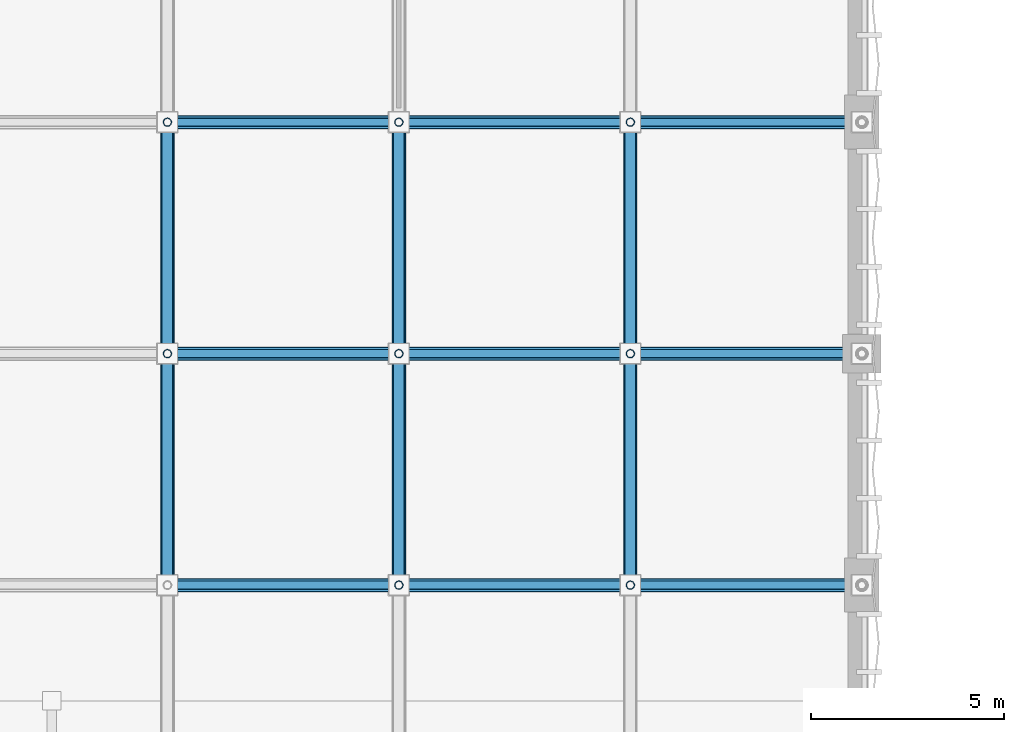
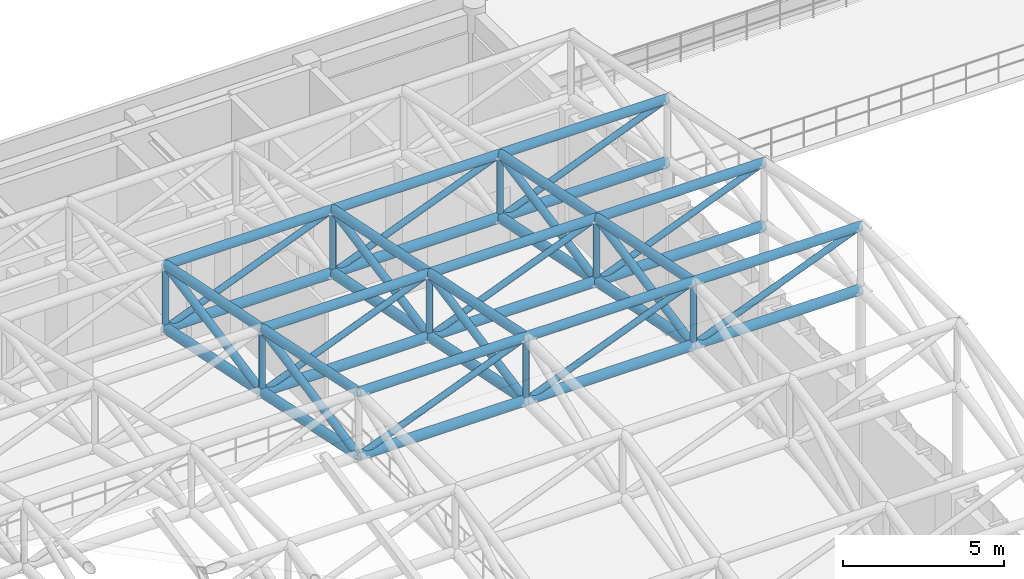
# One storey, part 33 of 112: 53 members.
"""IFC4 building model written with IfcOpenShell, lengths in metres."""

from ifc_helpers import new_model, si_unit, direction, frame, origin, origin_2d, place, context, subcontext, project, spatial, hollow_circle, extrude, material, material_profile, profile_set, type_object, element, save


model = new_model("IFC4")

# Units and contexts
model_context = context("Model", 3, precision=1e-05, world=origin(), true_north=direction((0.0, 1.0)))
body_context = subcontext(model_context, "Body", "Model", "MODEL_VIEW")
ifc_project = project(units=[si_unit("LENGTHUNIT", "METRE"), si_unit("AREAUNIT", "SQUARE_METRE"), si_unit("VOLUMEUNIT", "CUBIC_METRE"), si_unit("PLANEANGLEUNIT", "RADIAN"), si_unit("MASSUNIT", "GRAM", prefix="KILO"), si_unit("THERMODYNAMICTEMPERATUREUNIT", "KELVIN"), si_unit("POWERUNIT", "WATT")], contexts=[model_context])

# Site, building, storey
site_placement = place(None, origin())
site = spatial("IfcSite", under=ifc_project, at=site_placement, CompositionType="ELEMENT")
building_placement = place(site_placement, origin())
building = spatial("IfcBuilding", under=site, at=building_placement, Name="Phaisarnlok Congress Hotel", CompositionType="ELEMENT")
storey_placement = place(building_placement, frame((0.0, 0.0, 19.800048828125)))
storey = spatial("IfcBuildingStorey", under=building, at=storey_placement, Name="L04", CompositionType="ELEMENT", Elevation=19.800048828125)

# Members
ifc_material = material(Name="Steel S355", Category="steel")
ifc_material_profile_1 = material_profile(ifc_material, hollow_circle(Radius=0.109619140625, WallThickness=0.012451171875, at=origin_2d()), Name="CHS 219.1x12.5")
ifc_profile_set_1 = profile_set([ifc_material_profile_1], Name="Steel S355")
member_type_1 = type_object("IfcMemberType", Name="MEM-BRC-CHS219", PredefinedType="BRACE", material=ifc_profile_set_1)
member_1_placement = place(storey_placement, frame((48.0, 66.0, 8.462158203125), z_axis=(0.928481901832, 0.0, 0.371377648723), x_axis=(0.0, 1.0, 0.0)))
element("IfcMember", 1, at=member_1_placement, inside=storey, type_object=member_type_1, Name="Congress Hall space frame web diagonal TB-02", PredefinedType="BRACE", context=body_context, shape_type="SweptSolid", body=[
    extrude(hollow_circle(Radius=0.109619140625, WallThickness=0.012451171875, at=origin_2d()), origin(), (0.0, 0.0, 1.0), 6.462158203125),
])
member_2_placement = place(storey_placement, frame((48.0, 72.0, 7.241455078125), z_axis=(0.0, 0.0, 1.0), x_axis=(1.0, 0.0, 0.0)))
element("IfcMember", 2, at=member_2_placement, inside=storey, type_object=member_type_1, Name="Congress Hall space frame vertical brace TB-02", PredefinedType="BRACE", context=body_context, shape_type="SweptSolid", body=[
    extrude(hollow_circle(Radius=0.109619140625, WallThickness=0.012451171875, at=origin_2d()), origin(), (0.0, 0.0, 1.0), 2.39990234375),
])
member_3_placement = place(storey_placement, frame((48.0, 72.0, 7.241455078125), z_axis=(0.928481901832, 0.0, 0.371377648723), x_axis=(0.0, 1.0, 0.0)))
element("IfcMember", 3, at=member_3_placement, inside=storey, type_object=member_type_1, Name="Congress Hall space frame web diagonal TB-02", PredefinedType="BRACE", context=body_context, shape_type="SweptSolid", body=[
    extrude(hollow_circle(Radius=0.109619140625, WallThickness=0.012451171875, at=origin_2d()), origin(), (0.0, 0.0, 1.0), 6.462158203125),
])
member_4_placement = place(storey_placement, frame((48.0, 78.0, 6.020751953125), z_axis=(0.0, 0.0, 1.0), x_axis=(1.0, 0.0, 0.0)))
element("IfcMember", 4, at=member_4_placement, inside=storey, type_object=member_type_1, Name="Congress Hall space frame vertical brace TB-02", PredefinedType="BRACE", context=body_context, shape_type="SweptSolid", body=[
    extrude(hollow_circle(Radius=0.109619140625, WallThickness=0.012451171875, at=origin_2d()), origin(), (0.0, 0.0, 1.0), 2.39990234375),
])
member_5_placement = place(storey_placement, frame((48.0, 78.0, 6.020751953125), z_axis=(0.928481901832, 0.0, 0.371377648723), x_axis=(0.0, 1.0, 0.0)))
element("IfcMember", 5, at=member_5_placement, inside=storey, type_object=member_type_1, Name="Congress Hall space frame web diagonal TB-02", PredefinedType="BRACE", context=body_context, shape_type="SweptSolid", body=[
    extrude(hollow_circle(Radius=0.109619140625, WallThickness=0.012451171875, at=origin_2d()), origin(), (0.0, 0.0, 1.0), 6.462158203125),
])
member_6_placement = place(storey_placement, frame((54.0, 66.0, 8.462158203125), z_axis=(0.0, 0.0, 1.0), x_axis=(1.0, 0.0, 0.0)))
element("IfcMember", 6, at=member_6_placement, inside=storey, type_object=member_type_1, Name="Congress Hall space frame vertical brace TB-02", PredefinedType="BRACE", context=body_context, shape_type="SweptSolid", body=[
    extrude(hollow_circle(Radius=0.109619140625, WallThickness=0.012451171875, at=origin_2d()), origin(), (0.0, 0.0, 1.0), 2.39990234375),
])
member_7_placement = place(storey_placement, frame((54.0, 66.0, 8.462158203125), z_axis=(0.928481901832, 0.0, 0.371377648723), x_axis=(0.0, 1.0, 0.0)))
element("IfcMember", 7, at=member_7_placement, inside=storey, type_object=member_type_1, Name="Congress Hall space frame web diagonal TB-02", PredefinedType="BRACE", context=body_context, shape_type="SweptSolid", body=[
    extrude(hollow_circle(Radius=0.109619140625, WallThickness=0.012451171875, at=origin_2d()), origin(), (0.0, 0.0, 1.0), 6.462158203125),
])
member_8_placement = place(storey_placement, frame((54.0, 72.0, 7.241455078125), z_axis=(0.0, 0.0, 1.0), x_axis=(1.0, 0.0, 0.0)))
element("IfcMember", 8, at=member_8_placement, inside=storey, type_object=member_type_1, Name="Congress Hall space frame vertical brace TB-02", PredefinedType="BRACE", context=body_context, shape_type="SweptSolid", body=[
    extrude(hollow_circle(Radius=0.109619140625, WallThickness=0.012451171875, at=origin_2d()), origin(), (0.0, 0.0, 1.0), 2.39990234375),
])
member_9_placement = place(storey_placement, frame((54.0, 72.0, 7.241455078125), z_axis=(0.928481901832, 0.0, 0.371377648723), x_axis=(0.0, 1.0, 0.0)))
element("IfcMember", 9, at=member_9_placement, inside=storey, type_object=member_type_1, Name="Congress Hall space frame web diagonal TB-02", PredefinedType="BRACE", context=body_context, shape_type="SweptSolid", body=[
    extrude(hollow_circle(Radius=0.109619140625, WallThickness=0.012451171875, at=origin_2d()), origin(), (0.0, 0.0, 1.0), 6.462158203125),
])
member_10_placement = place(storey_placement, frame((54.0, 78.0, 6.020751953125), z_axis=(0.0, 0.0, 1.0), x_axis=(1.0, 0.0, 0.0)))
element("IfcMember", 10, at=member_10_placement, inside=storey, type_object=member_type_1, Name="Congress Hall space frame vertical brace TB-02", PredefinedType="BRACE", context=body_context, shape_type="SweptSolid", body=[
    extrude(hollow_circle(Radius=0.109619140625, WallThickness=0.012451171875, at=origin_2d()), origin(), (0.0, 0.0, 1.0), 2.39990234375),
])
member_11_placement = place(storey_placement, frame((54.0, 78.0, 6.020751953125), z_axis=(0.928481901832, 0.0, 0.371377648723), x_axis=(0.0, 1.0, 0.0)))
element("IfcMember", 11, at=member_11_placement, inside=storey, type_object=member_type_1, Name="Congress Hall space frame web diagonal TB-02", PredefinedType="BRACE", context=body_context, shape_type="SweptSolid", body=[
    extrude(hollow_circle(Radius=0.109619140625, WallThickness=0.012451171875, at=origin_2d()), origin(), (0.0, 0.0, 1.0), 6.462158203125),
])
member_12_placement = place(storey_placement, frame((60.0, 66.0, 8.462158203125), z_axis=(0.0, 0.0, 1.0), x_axis=(1.0, 0.0, 0.0)))
element("IfcMember", 12, at=member_12_placement, inside=storey, type_object=member_type_1, Name="Congress Hall space frame vertical brace TB-02", PredefinedType="BRACE", context=body_context, shape_type="SweptSolid", body=[
    extrude(hollow_circle(Radius=0.109619140625, WallThickness=0.012451171875, at=origin_2d()), origin(), (0.0, 0.0, 1.0), 2.39990234375),
])
member_13_placement = place(storey_placement, frame((60.0, 66.0, 8.462158203125), z_axis=(0.928481901832, 0.0, 0.371377648723), x_axis=(0.0, 1.0, 0.0)))
element("IfcMember", 13, at=member_13_placement, inside=storey, type_object=member_type_1, Name="Congress Hall space frame web diagonal TB-02", PredefinedType="BRACE", context=body_context, shape_type="SweptSolid", body=[
    extrude(hollow_circle(Radius=0.109619140625, WallThickness=0.012451171875, at=origin_2d()), origin(), (0.0, 0.0, 1.0), 6.462158203125),
])
member_14_placement = place(storey_placement, frame((60.0, 72.0, 7.241455078125), z_axis=(0.0, 0.0, 1.0), x_axis=(1.0, 0.0, 0.0)))
element("IfcMember", 14, at=member_14_placement, inside=storey, type_object=member_type_1, Name="Congress Hall space frame vertical brace TB-02", PredefinedType="BRACE", context=body_context, shape_type="SweptSolid", body=[
    extrude(hollow_circle(Radius=0.109619140625, WallThickness=0.012451171875, at=origin_2d()), origin(), (0.0, 0.0, 1.0), 2.39990234375),
])
member_15_placement = place(storey_placement, frame((60.0, 72.0, 7.241455078125), z_axis=(0.928481901832, 0.0, 0.371377648723), x_axis=(0.0, 1.0, 0.0)))
element("IfcMember", 15, at=member_15_placement, inside=storey, type_object=member_type_1, Name="Congress Hall space frame web diagonal TB-02", PredefinedType="BRACE", context=body_context, shape_type="SweptSolid", body=[
    extrude(hollow_circle(Radius=0.109619140625, WallThickness=0.012451171875, at=origin_2d()), origin(), (0.0, 0.0, 1.0), 6.462158203125),
])
member_16_placement = place(storey_placement, frame((60.0, 78.0, 6.020751953125), z_axis=(0.0, 0.0, 1.0), x_axis=(1.0, 0.0, 0.0)))
element("IfcMember", 16, at=member_16_placement, inside=storey, type_object=member_type_1, Name="Congress Hall space frame vertical brace TB-02", PredefinedType="BRACE", context=body_context, shape_type="SweptSolid", body=[
    extrude(hollow_circle(Radius=0.109619140625, WallThickness=0.012451171875, at=origin_2d()), origin(), (0.0, 0.0, 1.0), 2.39990234375),
])
member_17_placement = place(storey_placement, frame((60.0, 78.0, 6.020751953125), z_axis=(0.928481901832, 0.0, 0.371377648723), x_axis=(0.0, 1.0, 0.0)))
element("IfcMember", 17, at=member_17_placement, inside=storey, type_object=member_type_1, Name="Congress Hall space frame web diagonal TB-02", PredefinedType="BRACE", context=body_context, shape_type="SweptSolid", body=[
    extrude(hollow_circle(Radius=0.109619140625, WallThickness=0.012451171875, at=origin_2d()), origin(), (0.0, 0.0, 1.0), 6.462158203125),
])
ifc_material_profile_2 = material_profile(ifc_material, hollow_circle(Radius=0.136474609375, WallThickness=0.01611328125, at=origin_2d()), Name="CHS 273x16")
ifc_profile_set_2 = profile_set([ifc_material_profile_2], Name="Steel S355")
member_type_2 = type_object("IfcMemberType", Name="MEM-BRC-CHS273", PredefinedType="BRACE", material=ifc_profile_set_2)
for number, where, z_axis, x_axis, name in (
    (18, (48.0, 66.0, 8.462158203125), (0.0, 0.981229397887, 0.192844156567), (-1.0, 0.0, 0.0), "Congress Hall space frame raking brace TB-03"),
    (19, (48.0, 72.0, 7.241455078125), (0.0, 0.981229397887, 0.192844156567), (-1.0, 0.0, 0.0), "Congress Hall space frame raking brace TB-03"),
    (20, (54.0, 66.0, 8.462158203125), (0.0, 0.981229397887, 0.192844156567), (-1.0, 0.0, 0.0), "Congress Hall space frame raking brace TB-03"),
    (21, (54.0, 72.0, 7.241455078125), (0.0, 0.981229397887, 0.192844156567), (-1.0, 0.0, 0.0), "Congress Hall space frame raking brace TB-03"),
    (22, (60.0, 66.0, 8.462158203125), (0.0, 0.981229397887, 0.192844156567), (-1.0, 0.0, 0.0), "Congress Hall space frame raking brace TB-03"),
    (23, (60.0, 72.0, 7.241455078125), (0.0, 0.981229397887, 0.192844156567), (-1.0, 0.0, 0.0), "Congress Hall space frame raking brace TB-03"),
):
    element("IfcMember", number, at=place(storey_placement, frame(where, z_axis=z_axis, x_axis=x_axis)), inside=storey, type_object=member_type_2, Name=name, PredefinedType="BRACE", context=body_context, shape_type="SweptSolid", body=[
        extrude(hollow_circle(Radius=0.136474609375, WallThickness=0.01611328125, at=origin_2d()), origin(), (0.0, 0.0, 1.0), 6.11474609375),
    ])
ifc_material_profile_3 = material_profile(ifc_material, hollow_circle(Radius=0.161865234375, WallThickness=0.01611328125, at=origin_2d()), Name="CHS 323.9x16")
ifc_profile_set_3 = profile_set([ifc_material_profile_3], Name="Steel S355")
member_type_3 = type_object("IfcMemberType", Name="MEM-CHD-CHS324", PredefinedType="CHORD", material=ifc_profile_set_3)
member_18_placement = place(storey_placement, frame((48.0, 66.0, 10.862060546875), z_axis=(1.0, 0.0, 0.0), x_axis=(0.0, 1.0, 0.0)))
element("IfcMember", 24, at=member_18_placement, inside=storey, type_object=member_type_3, Name="Congress Hall space frame top chord TC-02", PredefinedType="CHORD", context=body_context, shape_type="SweptSolid", body=[
    extrude(hollow_circle(Radius=0.161865234375, WallThickness=0.01611328125, at=origin_2d()), origin(), (0.0, 0.0, 1.0), 6.0),
])
member_19_placement = place(storey_placement, frame((48.0, 66.0, 10.862060546875), z_axis=(0.0, 0.979925045119, -0.199366260807), x_axis=(-1.0, 0.0, 0.0)))
element("IfcMember", 25, at=member_19_placement, inside=storey, type_object=member_type_3, Name="Congress Hall space frame top chord TC-02", PredefinedType="CHORD", context=body_context, shape_type="SweptSolid", body=[
    extrude(hollow_circle(Radius=0.161865234375, WallThickness=0.01611328125, at=origin_2d()), origin(), (0.0, 0.0, 1.0), 6.122802734375),
])
member_20_placement = place(storey_placement, frame((48.0, 72.0, 9.641357421875), z_axis=(1.0, 0.0, 0.0), x_axis=(0.0, 1.0, 0.0)))
element("IfcMember", 26, at=member_20_placement, inside=storey, type_object=member_type_3, Name="Congress Hall space frame top chord TC-02", PredefinedType="CHORD", context=body_context, shape_type="SweptSolid", body=[
    extrude(hollow_circle(Radius=0.161865234375, WallThickness=0.01611328125, at=origin_2d()), origin(), (0.0, 0.0, 1.0), 6.0),
])
member_21_placement = place(storey_placement, frame((48.0, 72.0, 9.641357421875), z_axis=(0.0, 0.979925045119, -0.199366260807), x_axis=(-1.0, 0.0, 0.0)))
element("IfcMember", 27, at=member_21_placement, inside=storey, type_object=member_type_3, Name="Congress Hall space frame top chord TC-02", PredefinedType="CHORD", context=body_context, shape_type="SweptSolid", body=[
    extrude(hollow_circle(Radius=0.161865234375, WallThickness=0.01611328125, at=origin_2d()), origin(), (0.0, 0.0, 1.0), 6.122802734375),
])
for number, where, z_axis, x_axis, name in (
    (28, (48.0, 78.0, 8.420654296875), (1.0, 0.0, 0.0), (0.0, 1.0, 0.0), "Congress Hall space frame top chord TC-02"),
    (29, (54.0, 66.0, 10.862060546875), (1.0, 0.0, 0.0), (0.0, 1.0, 0.0), "Congress Hall space frame top chord TC-02"),
):
    element("IfcMember", number, at=place(storey_placement, frame(where, z_axis=z_axis, x_axis=x_axis)), inside=storey, type_object=member_type_3, Name=name, PredefinedType="CHORD", context=body_context, shape_type="SweptSolid", body=[
        extrude(hollow_circle(Radius=0.161865234375, WallThickness=0.01611328125, at=origin_2d()), origin(), (0.0, 0.0, 1.0), 6.0),
    ])
member_22_placement = place(storey_placement, frame((54.0, 66.0, 10.862060546875), z_axis=(0.0, 0.979925045119, -0.199366260807), x_axis=(-1.0, 0.0, 0.0)))
element("IfcMember", 30, at=member_22_placement, inside=storey, type_object=member_type_3, Name="Congress Hall space frame top chord TC-02", PredefinedType="CHORD", context=body_context, shape_type="SweptSolid", body=[
    extrude(hollow_circle(Radius=0.161865234375, WallThickness=0.01611328125, at=origin_2d()), origin(), (0.0, 0.0, 1.0), 6.122802734375),
])
member_23_placement = place(storey_placement, frame((54.0, 72.0, 9.641357421875), z_axis=(1.0, 0.0, 0.0), x_axis=(0.0, 1.0, 0.0)))
element("IfcMember", 31, at=member_23_placement, inside=storey, type_object=member_type_3, Name="Congress Hall space frame top chord TC-02", PredefinedType="CHORD", context=body_context, shape_type="SweptSolid", body=[
    extrude(hollow_circle(Radius=0.161865234375, WallThickness=0.01611328125, at=origin_2d()), origin(), (0.0, 0.0, 1.0), 6.0),
])
member_24_placement = place(storey_placement, frame((54.0, 72.0, 9.641357421875), z_axis=(0.0, 0.979925045119, -0.199366260807), x_axis=(-1.0, 0.0, 0.0)))
element("IfcMember", 32, at=member_24_placement, inside=storey, type_object=member_type_3, Name="Congress Hall space frame top chord TC-02", PredefinedType="CHORD", context=body_context, shape_type="SweptSolid", body=[
    extrude(hollow_circle(Radius=0.161865234375, WallThickness=0.01611328125, at=origin_2d()), origin(), (0.0, 0.0, 1.0), 6.122802734375),
])
for number, where, z_axis, x_axis, name in (
    (33, (54.0, 78.0, 8.420654296875), (1.0, 0.0, 0.0), (0.0, 1.0, 0.0), "Congress Hall space frame top chord TC-02"),
    (34, (60.0, 66.0, 10.862060546875), (1.0, 0.0, 0.0), (0.0, 1.0, 0.0), "Congress Hall space frame top chord TC-02"),
):
    element("IfcMember", number, at=place(storey_placement, frame(where, z_axis=z_axis, x_axis=x_axis)), inside=storey, type_object=member_type_3, Name=name, PredefinedType="CHORD", context=body_context, shape_type="SweptSolid", body=[
        extrude(hollow_circle(Radius=0.161865234375, WallThickness=0.01611328125, at=origin_2d()), origin(), (0.0, 0.0, 1.0), 6.0),
    ])
member_25_placement = place(storey_placement, frame((60.0, 66.0, 10.862060546875), z_axis=(0.0, 0.979925045119, -0.199366260807), x_axis=(-1.0, 0.0, 0.0)))
element("IfcMember", 35, at=member_25_placement, inside=storey, type_object=member_type_3, Name="Congress Hall space frame top chord TC-02", PredefinedType="CHORD", context=body_context, shape_type="SweptSolid", body=[
    extrude(hollow_circle(Radius=0.161865234375, WallThickness=0.01611328125, at=origin_2d()), origin(), (0.0, 0.0, 1.0), 6.122802734375),
])
member_26_placement = place(storey_placement, frame((60.0, 72.0, 9.641357421875), z_axis=(1.0, 0.0, 0.0), x_axis=(0.0, 1.0, 0.0)))
element("IfcMember", 36, at=member_26_placement, inside=storey, type_object=member_type_3, Name="Congress Hall space frame top chord TC-02", PredefinedType="CHORD", context=body_context, shape_type="SweptSolid", body=[
    extrude(hollow_circle(Radius=0.161865234375, WallThickness=0.01611328125, at=origin_2d()), origin(), (0.0, 0.0, 1.0), 6.0),
])
member_27_placement = place(storey_placement, frame((60.0, 72.0, 9.641357421875), z_axis=(0.0, 0.979925045119, -0.199366260807), x_axis=(-1.0, 0.0, 0.0)))
element("IfcMember", 37, at=member_27_placement, inside=storey, type_object=member_type_3, Name="Congress Hall space frame top chord TC-02", PredefinedType="CHORD", context=body_context, shape_type="SweptSolid", body=[
    extrude(hollow_circle(Radius=0.161865234375, WallThickness=0.01611328125, at=origin_2d()), origin(), (0.0, 0.0, 1.0), 6.122802734375),
])
member_28_placement = place(storey_placement, frame((60.0, 78.0, 8.420654296875), z_axis=(1.0, 0.0, 0.0), x_axis=(0.0, 1.0, 0.0)))
element("IfcMember", 38, at=member_28_placement, inside=storey, type_object=member_type_3, Name="Congress Hall space frame top chord TC-02", PredefinedType="CHORD", context=body_context, shape_type="SweptSolid", body=[
    extrude(hollow_circle(Radius=0.161865234375, WallThickness=0.01611328125, at=origin_2d()), origin(), (0.0, 0.0, 1.0), 6.0),
])
ifc_material_profile_4 = material_profile(ifc_material, hollow_circle(Radius=0.177734375, WallThickness=0.02001953125, at=origin_2d()), Name="CHS 355.6x20")
ifc_profile_set_4 = profile_set([ifc_material_profile_4], Name="Steel S355")
member_type_4 = type_object("IfcMemberType", Name="MEM-CHD-CHS356", PredefinedType="CHORD", material=ifc_profile_set_4)
member_29_placement = place(storey_placement, frame((48.0, 66.0, 8.462158203125), z_axis=(1.0, 0.0, 0.0), x_axis=(0.0, 1.0, 0.0)))
element("IfcMember", 39, at=member_29_placement, inside=storey, type_object=member_type_4, Name="Congress Hall space frame bottom chord TC-01", PredefinedType="CHORD", context=body_context, shape_type="SweptSolid", body=[
    extrude(hollow_circle(Radius=0.177734375, WallThickness=0.02001953125, at=origin_2d()), origin(), (0.0, 0.0, 1.0), 6.0),
])
member_30_placement = place(storey_placement, frame((48.0, 66.0, 8.462158203125), z_axis=(0.0, 0.979925045119, -0.199366260807), x_axis=(-1.0, 0.0, 0.0)))
element("IfcMember", 40, at=member_30_placement, inside=storey, type_object=member_type_4, Name="Congress Hall space frame bottom chord TC-01", PredefinedType="CHORD", context=body_context, shape_type="SweptSolid", body=[
    extrude(hollow_circle(Radius=0.177734375, WallThickness=0.02001953125, at=origin_2d()), origin(), (0.0, 0.0, 1.0), 6.122802734375),
])
member_31_placement = place(storey_placement, frame((48.0, 72.0, 7.241455078125), z_axis=(1.0, 0.0, 0.0), x_axis=(0.0, 1.0, 0.0)))
element("IfcMember", 41, at=member_31_placement, inside=storey, type_object=member_type_4, Name="Congress Hall space frame bottom chord TC-01", PredefinedType="CHORD", context=body_context, shape_type="SweptSolid", body=[
    extrude(hollow_circle(Radius=0.177734375, WallThickness=0.02001953125, at=origin_2d()), origin(), (0.0, 0.0, 1.0), 6.0),
])
member_32_placement = place(storey_placement, frame((48.0, 72.0, 7.241455078125), z_axis=(0.0, 0.979925045119, -0.199366260807), x_axis=(-1.0, 0.0, 0.0)))
element("IfcMember", 42, at=member_32_placement, inside=storey, type_object=member_type_4, Name="Congress Hall space frame bottom chord TC-01", PredefinedType="CHORD", context=body_context, shape_type="SweptSolid", body=[
    extrude(hollow_circle(Radius=0.177734375, WallThickness=0.02001953125, at=origin_2d()), origin(), (0.0, 0.0, 1.0), 6.122802734375),
])
for number, where, z_axis, x_axis, name in (
    (43, (48.0, 78.0, 6.020751953125), (1.0, 0.0, 0.0), (0.0, 1.0, 0.0), "Congress Hall space frame bottom chord TC-01"),
    (44, (54.0, 66.0, 8.462158203125), (1.0, 0.0, 0.0), (0.0, 1.0, 0.0), "Congress Hall space frame bottom chord TC-01"),
):
    element("IfcMember", number, at=place(storey_placement, frame(where, z_axis=z_axis, x_axis=x_axis)), inside=storey, type_object=member_type_4, Name=name, PredefinedType="CHORD", context=body_context, shape_type="SweptSolid", body=[
        extrude(hollow_circle(Radius=0.177734375, WallThickness=0.02001953125, at=origin_2d()), origin(), (0.0, 0.0, 1.0), 6.0),
    ])
member_33_placement = place(storey_placement, frame((54.0, 66.0, 8.462158203125), z_axis=(0.0, 0.979925045119, -0.199366260807), x_axis=(-1.0, 0.0, 0.0)))
element("IfcMember", 45, at=member_33_placement, inside=storey, type_object=member_type_4, Name="Congress Hall space frame bottom chord TC-01", PredefinedType="CHORD", context=body_context, shape_type="SweptSolid", body=[
    extrude(hollow_circle(Radius=0.177734375, WallThickness=0.02001953125, at=origin_2d()), origin(), (0.0, 0.0, 1.0), 6.122802734375),
])
member_34_placement = place(storey_placement, frame((54.0, 72.0, 7.241455078125), z_axis=(1.0, 0.0, 0.0), x_axis=(0.0, 1.0, 0.0)))
element("IfcMember", 46, at=member_34_placement, inside=storey, type_object=member_type_4, Name="Congress Hall space frame bottom chord TC-01", PredefinedType="CHORD", context=body_context, shape_type="SweptSolid", body=[
    extrude(hollow_circle(Radius=0.177734375, WallThickness=0.02001953125, at=origin_2d()), origin(), (0.0, 0.0, 1.0), 6.0),
])
member_35_placement = place(storey_placement, frame((54.0, 72.0, 7.241455078125), z_axis=(0.0, 0.979925045119, -0.199366260807), x_axis=(-1.0, 0.0, 0.0)))
element("IfcMember", 47, at=member_35_placement, inside=storey, type_object=member_type_4, Name="Congress Hall space frame bottom chord TC-01", PredefinedType="CHORD", context=body_context, shape_type="SweptSolid", body=[
    extrude(hollow_circle(Radius=0.177734375, WallThickness=0.02001953125, at=origin_2d()), origin(), (0.0, 0.0, 1.0), 6.122802734375),
])
for number, where, z_axis, x_axis, name in (
    (48, (54.0, 78.0, 6.020751953125), (1.0, 0.0, 0.0), (0.0, 1.0, 0.0), "Congress Hall space frame bottom chord TC-01"),
    (49, (60.0, 66.0, 8.462158203125), (1.0, 0.0, 0.0), (0.0, 1.0, 0.0), "Congress Hall space frame bottom chord TC-01"),
):
    element("IfcMember", number, at=place(storey_placement, frame(where, z_axis=z_axis, x_axis=x_axis)), inside=storey, type_object=member_type_4, Name=name, PredefinedType="CHORD", context=body_context, shape_type="SweptSolid", body=[
        extrude(hollow_circle(Radius=0.177734375, WallThickness=0.02001953125, at=origin_2d()), origin(), (0.0, 0.0, 1.0), 6.0),
    ])
member_36_placement = place(storey_placement, frame((60.0, 66.0, 8.462158203125), z_axis=(0.0, 0.979925045119, -0.199366260807), x_axis=(-1.0, 0.0, 0.0)))
element("IfcMember", 50, at=member_36_placement, inside=storey, type_object=member_type_4, Name="Congress Hall space frame bottom chord TC-01", PredefinedType="CHORD", context=body_context, shape_type="SweptSolid", body=[
    extrude(hollow_circle(Radius=0.177734375, WallThickness=0.02001953125, at=origin_2d()), origin(), (0.0, 0.0, 1.0), 6.122802734375),
])
member_37_placement = place(storey_placement, frame((60.0, 72.0, 7.241455078125), z_axis=(1.0, 0.0, 0.0), x_axis=(0.0, 1.0, 0.0)))
element("IfcMember", 51, at=member_37_placement, inside=storey, type_object=member_type_4, Name="Congress Hall space frame bottom chord TC-01", PredefinedType="CHORD", context=body_context, shape_type="SweptSolid", body=[
    extrude(hollow_circle(Radius=0.177734375, WallThickness=0.02001953125, at=origin_2d()), origin(), (0.0, 0.0, 1.0), 6.0),
])
member_38_placement = place(storey_placement, frame((60.0, 72.0, 7.241455078125), z_axis=(0.0, 0.979925045119, -0.199366260807), x_axis=(-1.0, 0.0, 0.0)))
element("IfcMember", 52, at=member_38_placement, inside=storey, type_object=member_type_4, Name="Congress Hall space frame bottom chord TC-01", PredefinedType="CHORD", context=body_context, shape_type="SweptSolid", body=[
    extrude(hollow_circle(Radius=0.177734375, WallThickness=0.02001953125, at=origin_2d()), origin(), (0.0, 0.0, 1.0), 6.122802734375),
])
member_39_placement = place(storey_placement, frame((60.0, 78.0, 6.020751953125), z_axis=(1.0, 0.0, 0.0), x_axis=(0.0, 1.0, 0.0)))
element("IfcMember", 53, at=member_39_placement, inside=storey, type_object=member_type_4, Name="Congress Hall space frame bottom chord TC-01", PredefinedType="CHORD", context=body_context, shape_type="SweptSolid", body=[
    extrude(hollow_circle(Radius=0.177734375, WallThickness=0.02001953125, at=origin_2d()), origin(), (0.0, 0.0, 1.0), 6.0),
])

save(model, "model.ifc")
